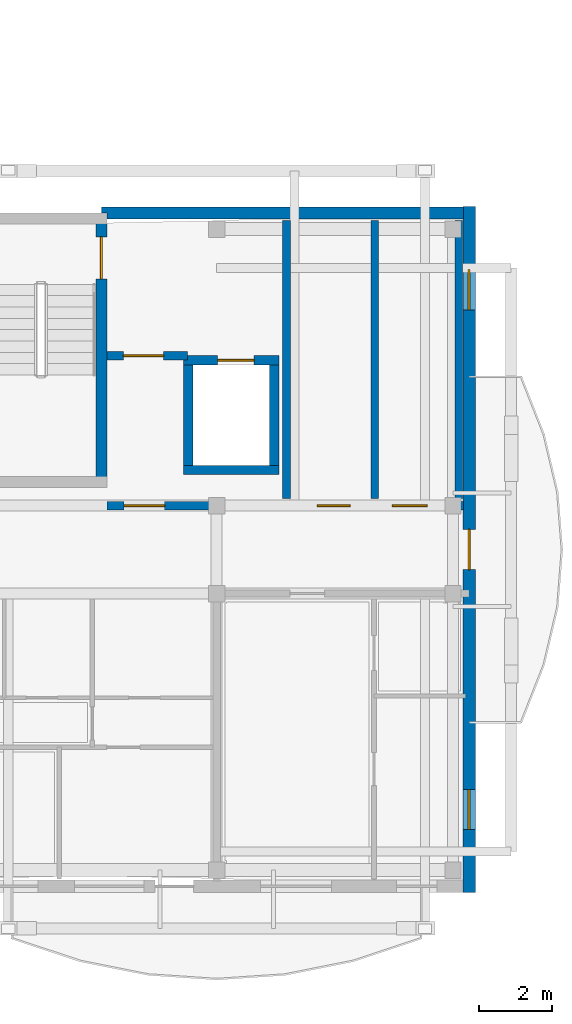
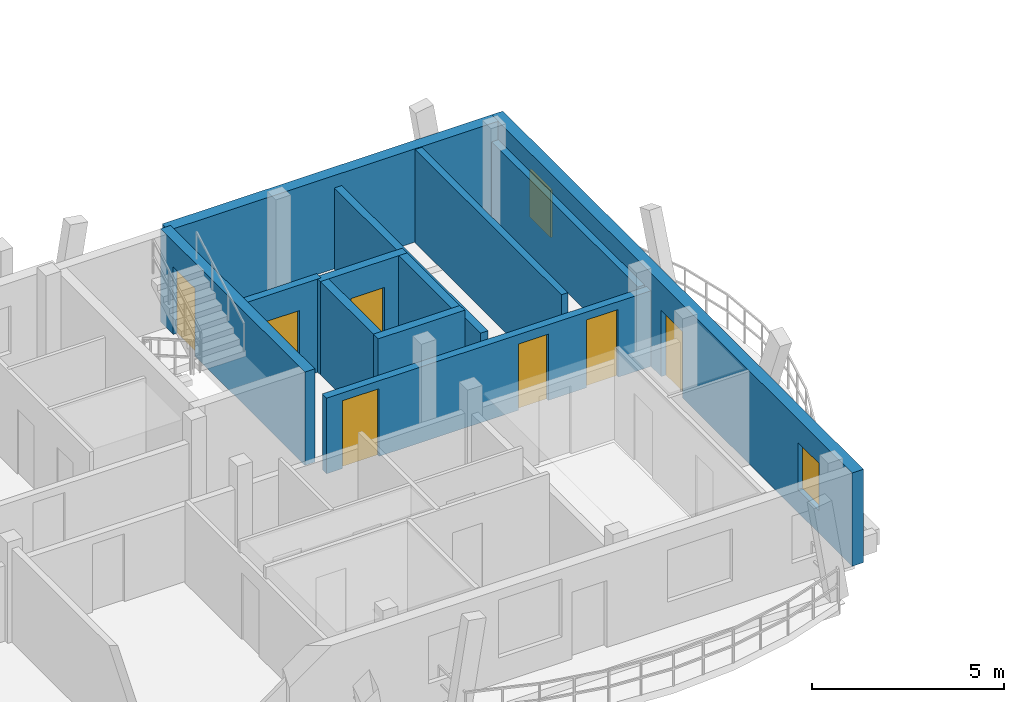
# One storey, part 13 of 29: 12 walls, 7 doors, 2 windows, 9 openings.
"""IFC4 building model written with IfcOpenShell, lengths in metres."""

from ifc_helpers import new_model, si_unit, direction, frame, frame_2d, origin, origin_with_axes, place, context, subcontext, project, spatial, rectangle, extrude, material, layer, layer_set, type_object, element, fill, save


model = new_model("IFC4")

# Units and contexts
model_context = context("Model", 3, precision=1e-05, world=origin(), true_north=direction((0.0, 1.0)))
body_context = subcontext(model_context, "Body", "Model", "MODEL_VIEW")
ifc_project = project(units=[si_unit("LENGTHUNIT", "METRE"), si_unit("AREAUNIT", "SQUARE_METRE"), si_unit("VOLUMEUNIT", "CUBIC_METRE"), si_unit("PLANEANGLEUNIT", "RADIAN"), si_unit("MASSUNIT", "GRAM", prefix="KILO")], contexts=[model_context])

# Site, building, storey
site_placement = place(None, origin())
site = spatial("IfcSite", under=ifc_project, at=site_placement, CompositionType="ELEMENT")
building_placement = place(site_placement, origin())
building = spatial("IfcBuilding", under=site, at=building_placement, Name="Zavelmont Quarter", CompositionType="ELEMENT")
storey_placement = place(building_placement, frame((0.0, 0.0, 33.60009765625)))
storey = spatial("IfcBuildingStorey", under=building, at=storey_placement, Name="L10", CompositionType="ELEMENT", Elevation=33.60009765625)

# Wall
ifc_material_1 = material(Name="Natural Belgian limestone", Category="masonry")
ifc_layer_1 = layer(ifc_material_1, 0.340087890625)
ifc_layer_set_1 = layer_set([ifc_layer_1], Name="Natural Belgian limestone")
wall_type_1 = type_object("IfcWallType", Name="EW03", PredefinedType="STANDARD", material=ifc_layer_set_1)
wall_1_placement = place(storey_placement, frame((31.35009765625, 18.39990234375, 0.0), z_axis=(0.0, 0.0, 1.0), x_axis=(1.0, 0.0, 0.0)))
element("IfcWall", 1, at=wall_1_placement, inside=storey, type_object=wall_type_1, Name="L10 exterior limestone wall EW03", PredefinedType="STANDARD", context=body_context, shape_type="SweptSolid", body=[
    extrude(rectangle(XDim=9.889892578125, YDim=0.340087890625, at=frame_2d((4.94482421875, 0.0))), origin(), (0.0, 0.0, 1.0), 2.9599609375),
])

# Wall, openings, door, windows
wall_2_placement = place(storey_placement, frame((41.39990234375, -0.169921875, 0.0), z_axis=(0.0, 0.0, 1.0), x_axis=(0.0, 1.0, 0.0)))
wall_2 = element("IfcWall", 2, at=wall_2_placement, inside=storey, type_object=wall_type_1, Name="L10 exterior limestone wall EW03", PredefinedType="STANDARD", context=body_context, shape_type="SweptSolid", body=[
    extrude(rectangle(XDim=18.739990234375, YDim=0.340087890625, at=frame_2d((9.3701171875, 0.0))), origin(), (0.0, 0.0, 1.0), 2.9599609375),
])
opening_1_placement = place(wall_2_placement, frame((8.820068359375, 0.0, 0.0)))
opening_1 = element("IfcOpeningElement", 3, at=opening_1_placement, cuts=wall_2, Name="Opening DR04B", PredefinedType="OPENING", context=body_context, shape_type="SweptSolid", body=[
    extrude(rectangle(XDim=1.10009765625, YDim=2.10009765625, at=frame_2d((0.550048828125, 1.050048828125))), frame((0.0, 0.18212890625, 0.0), z_axis=(0.0, -1.0, 0.0), x_axis=(1.0, 0.0, 0.0)), (0.0, 0.0, 1.0), 0.364013671875),
])
opening_2_placement = place(wall_2_placement, frame((1.719970703125, 0.0, 0.719970703125)))
opening_2 = element("IfcOpeningElement", 4, at=opening_2_placement, cuts=wall_2, Name="Opening WN09", PredefinedType="OPENING", context=body_context, shape_type="SweptSolid", body=[
    extrude(rectangle(XDim=1.10009765625, YDim=1.5, at=frame_2d((0.550048828125, 0.75))), frame((0.0, 0.18212890625, 0.0), z_axis=(0.0, -1.0, 0.0), x_axis=(1.0, 0.0, 0.0)), (0.0, 0.0, 1.0), 0.364013671875),
])
opening_3_placement = place(wall_2_placement, frame((15.919921875, 0.0, 0.719970703125)))
opening_3 = element("IfcOpeningElement", 5, at=opening_3_placement, cuts=wall_2, Name="Opening WN09", PredefinedType="OPENING", context=body_context, shape_type="SweptSolid", body=[
    extrude(rectangle(XDim=1.10009765625, YDim=1.5, at=frame_2d((0.550048828125, 0.75))), frame((0.0, 0.18212890625, 0.0), z_axis=(0.0, -1.0, 0.0), x_axis=(1.0, 0.0, 0.0)), (0.0, 0.0, 1.0), 0.364013671875),
])
ifc_material_2 = material(Name="Thermally broken aluminium and double safety glass", Category="aluminium")
door_type_1 = type_object("IfcDoorType", Name="DR04B", OperationType="NOTDEFINED", PredefinedType="DOOR", material=ifc_material_2)
door_1_placement = place(opening_1_placement, origin_with_axes())
door_1 = element("IfcDoor", 6, at=door_1_placement, inside=storey, type_object=door_type_1, Name="Block A L10 terrace or vase balcony door", OperationType="SINGLE_SWING_RIGHT", OverallHeight=2.10009765625, OverallWidth=1.10009765625, PredefinedType="DOOR", context=body_context, shape_type="SweptSolid", body=[
    extrude(rectangle(XDim=1.10009765625, YDim=2.10009765625, at=frame_2d((0.550048828125, 1.050048828125))), frame((0.0, 0.02490234375, 0.0), z_axis=(0.0, -1.0, 0.0), x_axis=(1.0, 0.0, 0.0)), (0.0, 0.0, 1.0), 0.050048828125),
])
fill(opening_1, door_1)
ifc_material_3 = material(Name="Double low-E insulated glazing in thermally broken aluminium frame", Category="aluminium")
window_type = type_object("IfcWindowType", Name="WN09", PartitioningType="SINGLE_PANEL", PredefinedType="WINDOW", material=ifc_material_3)
window_1_placement = place(opening_2_placement, origin_with_axes())
window_1 = element("IfcWindow", 7, at=window_1_placement, inside=storey, type_object=window_type, Name="L10 window WN09", OverallHeight=1.5, OverallWidth=1.10009765625, PartitioningType="SINGLE_PANEL", PredefinedType="WINDOW", context=body_context, shape_type="SweptSolid", body=[
    extrude(rectangle(XDim=1.10009765625, YDim=1.5, at=frame_2d((0.550048828125, 0.75))), frame((0.0, 0.030029296875, 0.0), z_axis=(0.0, -1.0, 0.0), x_axis=(1.0, 0.0, 0.0)), (0.0, 0.0, 1.0), 0.06005859375),
])
fill(opening_2, window_1)
window_2_placement = place(opening_3_placement, origin_with_axes())
window_2 = element("IfcWindow", 8, at=window_2_placement, inside=storey, type_object=window_type, Name="L10 window WN09", OverallHeight=1.5, OverallWidth=1.10009765625, PartitioningType="SINGLE_PANEL", PredefinedType="WINDOW", context=body_context, shape_type="SweptSolid", body=[
    extrude(rectangle(XDim=1.10009765625, YDim=1.5, at=frame_2d((0.550048828125, 0.75))), frame((0.0, 0.030029296875, 0.0), z_axis=(0.0, -1.0, 0.0), x_axis=(1.0, 0.0, 0.0)), (0.0, 0.0, 1.0), 0.06005859375),
])
fill(opening_3, window_2)

# Walls
ifc_material_4 = material(Name="Calcium-silicate blockwork and acoustic plaster", Category="masonry")
ifc_layer_2 = layer(ifc_material_4, 0.199951171875)
ifc_layer_set_2 = layer_set([ifc_layer_2], Name="Calcium-silicate blockwork and acoustic plaster")
wall_type_2 = type_object("IfcWallType", Name="IW01", PredefinedType="PARTITIONING", material=ifc_layer_set_2)
wall_3_placement = place(storey_placement, frame((38.824951171875, 10.60009765625, 0.0), z_axis=(0.0, 0.0, 1.0), x_axis=(0.0, 1.0, 0.0)))
element("IfcWall", 9, at=wall_3_placement, inside=storey, type_object=wall_type_2, Name="L10 Service riser divider wall IW01", PredefinedType="PARTITIONING", context=body_context, shape_type="SweptSolid", body=[
    extrude(rectangle(XDim=7.599853515625, YDim=0.199951171875, at=frame_2d((3.7998046875, 0.0))), origin(), (0.0, 0.0, 1.0), 2.9599609375),
])
wall_4_placement = place(storey_placement, frame((41.1201171875, 10.60009765625, 0.0), z_axis=(0.0, 0.0, 1.0), x_axis=(0.0, 1.0, 0.0)))
element("IfcWall", 10, at=wall_4_placement, inside=storey, type_object=wall_type_2, Name="L10 Core service end wall IW01", PredefinedType="PARTITIONING", context=body_context, shape_type="SweptSolid", body=[
    extrude(rectangle(XDim=7.599853515625, YDim=0.199951171875, at=frame_2d((3.7998046875, 0.0))), origin(), (0.0, 0.0, 1.0), 2.39990234375),
])
ifc_material_5 = material(Name="Reinforced masonry fire compartment wall", Category="masonry")
ifc_layer_3 = layer(ifc_material_5, 0.22509765625)
ifc_layer_set_3 = layer_set([ifc_layer_3], Name="Reinforced masonry fire compartment wall")
wall_type_3 = type_object("IfcWallType", Name="IW02", PredefinedType="PARTITIONING", material=ifc_layer_set_3)
wall_5_placement = place(storey_placement, frame((36.409912109375, 10.60009765625, 0.0), z_axis=(0.0, 0.0, 1.0), x_axis=(0.0, 1.0, 0.0)))
element("IfcWall", 11, at=wall_5_placement, inside=storey, type_object=wall_type_3, Name="L10 Firefighting lobby enclosure wall IW02", PredefinedType="PARTITIONING", context=body_context, shape_type="SweptSolid", body=[
    extrude(rectangle(XDim=7.599853515625, YDim=0.22509765625, at=frame_2d((3.7998046875, 0.0))), origin(), (0.0, 0.0, 1.0), 2.58984375),
])

# Wall, opening, door
wall_6_placement = place(storey_placement, frame((31.5, 14.5, 0.0), z_axis=(0.0, 0.0, 1.0), x_axis=(1.0, 0.0, 0.0)))
wall_6 = element("IfcWall", 12, at=wall_6_placement, inside=storey, type_object=wall_type_3, Name="L10 Firefighting lobby threshold wall IW02", PredefinedType="PARTITIONING", context=body_context, shape_type="SweptSolid", body=[
    extrude(rectangle(XDim=2.199951171875, YDim=0.22509765625, at=frame_2d((1.10009765625, 0.0))), origin(), (0.0, 0.0, 1.0), 2.9599609375),
])
opening_4_placement = place(wall_6_placement, frame((0.449951171875, 0.0, 0.0)))
opening_4 = element("IfcOpeningElement", 13, at=opening_4_placement, cuts=wall_6, Name="Opening DR10", PredefinedType="OPENING", context=body_context, shape_type="SweptSolid", body=[
    extrude(rectangle(XDim=1.10009765625, YDim=2.14990234375, at=frame_2d((0.550048828125, 1.074951171875))), frame((0.0, 0.12451171875, 0.0), z_axis=(0.0, -1.0, 0.0), x_axis=(1.0, 0.0, 0.0)), (0.0, 0.0, 1.0), 0.2490234375),
])
ifc_material_6 = material(Name="Painted steel lobby fire door", Category="steel")
door_type_2 = type_object("IfcDoorType", Name="DR10", OperationType="NOTDEFINED", PredefinedType="DOOR", material=ifc_material_6)
door_2_placement = place(opening_4_placement, origin_with_axes())
door_2 = element("IfcDoor", 14, at=door_2_placement, inside=storey, type_object=door_type_2, Name="Firefighting lobby fire door", OperationType="SINGLE_SWING_LEFT", OverallHeight=2.14990234375, OverallWidth=1.10009765625, PredefinedType="DOOR", context=body_context, shape_type="SweptSolid", body=[
    extrude(rectangle(XDim=1.10009765625, YDim=2.14990234375, at=frame_2d((0.550048828125, 1.074951171875))), frame((0.0, 0.02490234375, 0.0), z_axis=(0.0, -1.0, 0.0), x_axis=(1.0, 0.0, 0.0)), (0.0, 0.0, 1.0), 0.050048828125),
])
fill(opening_4, door_2)

# Wall, openings, doors
wall_7_placement = place(storey_placement, frame((31.5, 10.39990234375, 0.0), z_axis=(0.0, 0.0, 1.0), x_axis=(1.0, 0.0, 0.0)))
wall_7 = element("IfcWall", 15, at=wall_7_placement, inside=storey, type_object=wall_type_3, Name="L10 Core corridor fire wall IW02", PredefinedType="PARTITIONING", context=body_context, shape_type="SweptSolid", body=[
    extrude(rectangle(XDim=9.75, YDim=0.22509765625, at=frame_2d((4.875, 0.0))), origin(), (0.0, 0.0, 1.0), 2.39990234375),
])
opening_5_placement = place(wall_7_placement, frame((0.47509765625, 0.0, 0.0)))
opening_5 = element("IfcOpeningElement", 16, at=opening_5_placement, cuts=wall_7, Name="Opening DR10", PredefinedType="OPENING", context=body_context, shape_type="SweptSolid", body=[
    extrude(rectangle(XDim=1.10009765625, YDim=2.14990234375, at=frame_2d((0.550048828125, 1.074951171875))), frame((0.0, 0.12451171875, 0.0), z_axis=(0.0, -1.0, 0.0), x_axis=(1.0, 0.0, 0.0)), (0.0, 0.0, 1.0), 0.2490234375),
])
opening_6_placement = place(wall_7_placement, frame((5.75, 0.0, 0.0)))
opening_6 = element("IfcOpeningElement", 17, at=opening_6_placement, cuts=wall_7, Name="Opening DR11", PredefinedType="OPENING", context=body_context, shape_type="SweptSolid", body=[
    extrude(rectangle(XDim=0.89990234375, YDim=2.10009765625, at=frame_2d((0.449951171875, 1.050048828125))), frame((0.0, 0.12451171875, 0.0), z_axis=(0.0, -1.0, 0.0), x_axis=(1.0, 0.0, 0.0)), (0.0, 0.0, 1.0), 0.2490234375),
])
opening_7_placement = place(wall_7_placement, frame((7.800048828125, 0.0, 0.0)))
opening_7 = element("IfcOpeningElement", 18, at=opening_7_placement, cuts=wall_7, Name="Opening DR02", PredefinedType="OPENING", context=body_context, shape_type="SweptSolid", body=[
    extrude(rectangle(XDim=0.949951171875, YDim=2.14990234375, at=frame_2d((0.47509765625, 1.074951171875))), frame((0.0, 0.12451171875, 0.0), z_axis=(0.0, -1.0, 0.0), x_axis=(1.0, 0.0, 0.0)), (0.0, 0.0, 1.0), 0.2490234375),
])
ifc_material_7 = material(Name="Solid-core oak fire leaf in steel frame", Category="steel")
door_type_3 = type_object("IfcDoorType", Name="DR02", OperationType="NOTDEFINED", PredefinedType="DOOR", material=ifc_material_7)
door_3_placement = place(opening_7_placement, frame((0.949951171875, 0.0, 0.0), z_axis=(0.0, 0.0, 1.0), x_axis=(-1.0, 0.0, 0.0)))
door_3 = element("IfcDoor", 19, at=door_3_placement, inside=storey, type_object=door_type_3, Name="Auxiliary store corridor door", OperationType="SINGLE_SWING_RIGHT", OverallHeight=2.14990234375, OverallWidth=0.949951171875, PredefinedType="DOOR", context=body_context, shape_type="SweptSolid", body=[
    extrude(rectangle(XDim=0.949951171875, YDim=2.14990234375, at=frame_2d((0.47509765625, 1.074951171875))), frame((0.0, 0.02490234375, 0.0), z_axis=(0.0, -1.0, 0.0), x_axis=(1.0, 0.0, 0.0)), (0.0, 0.0, 1.0), 0.050048828125),
])
fill(opening_7, door_3)
door_4_placement = place(opening_5_placement, origin_with_axes())
door_4 = element("IfcDoor", 20, at=door_4_placement, inside=storey, type_object=door_type_2, Name="Core vestibule fire door", OperationType="SINGLE_SWING_RIGHT", OverallHeight=2.14990234375, OverallWidth=1.10009765625, PredefinedType="DOOR", context=body_context, shape_type="SweptSolid", body=[
    extrude(rectangle(XDim=1.10009765625, YDim=2.14990234375, at=frame_2d((0.550048828125, 1.074951171875))), frame((0.0, 0.02490234375, 0.0), z_axis=(0.0, -1.0, 0.0), x_axis=(1.0, 0.0, 0.0)), (0.0, 0.0, 1.0), 0.050048828125),
])
fill(opening_5, door_4)
ifc_material_8 = material(Name="Painted steel service-riser fire door", Category="steel")
door_type_4 = type_object("IfcDoorType", Name="DR11", OperationType="NOTDEFINED", PredefinedType="DOOR", material=ifc_material_8)
door_5_placement = place(opening_6_placement, frame((0.89990234375, 0.0, 0.0), z_axis=(0.0, 0.0, 1.0), x_axis=(-1.0, 0.0, 0.0)))
door_5 = element("IfcDoor", 21, at=door_5_placement, inside=storey, type_object=door_type_4, Name="Service riser fire door", OperationType="SINGLE_SWING_LEFT", OverallHeight=2.10009765625, OverallWidth=0.89990234375, PredefinedType="DOOR", context=body_context, shape_type="SweptSolid", body=[
    extrude(rectangle(XDim=0.89990234375, YDim=2.10009765625, at=frame_2d((0.449951171875, 1.050048828125))), frame((0.0, 0.02490234375, 0.0), z_axis=(0.0, -1.0, 0.0), x_axis=(1.0, 0.0, 0.0)), (0.0, 0.0, 1.0), 0.050048828125),
])
fill(opening_6, door_5)

# Wall, opening, door
ifc_material_9 = material(Name="Concrete C40/50", Category="concrete")
ifc_layer_4 = layer(ifc_material_9, 0.300048828125)
ifc_layer_set_4 = layer_set([ifc_layer_4], Name="Concrete C40/50")
wall_type_4 = type_object("IfcWallType", Name="SW01", PredefinedType="SHEAR", material=ifc_layer_set_4)
wall_8_placement = place(storey_placement, frame((31.35009765625, 10.89990234375, 0.0), z_axis=(0.0, 0.0, 1.0), x_axis=(0.0, 1.0, 0.0)))
wall_8 = element("IfcWall", 22, at=wall_8_placement, inside=storey, type_object=wall_type_4, Name="L10 ST02 lobby shear wall SW01", PredefinedType="SHEAR", context=body_context, shape_type="SweptSolid", body=[
    extrude(rectangle(XDim=7.5, YDim=0.300048828125, at=frame_2d((3.75, 0.0))), origin(), (0.0, 0.0, 1.0), 2.9599609375),
])
opening_8_placement = place(wall_8_placement, frame((5.699951171875, 0.0, 0.0)))
opening_8 = element("IfcOpeningElement", 23, at=opening_8_placement, cuts=wall_8, Name="Opening DR09", PredefinedType="OPENING", context=body_context, shape_type="SweptSolid", body=[
    extrude(rectangle(XDim=1.14990234375, YDim=2.14990234375, at=frame_2d((0.574951171875, 1.074951171875))), frame((0.0, 0.162109375, 0.0), z_axis=(0.0, -1.0, 0.0), x_axis=(1.0, 0.0, 0.0)), (0.0, 0.0, 1.0), 0.323974609375),
])
ifc_material_10 = material(Name="Painted steel stair-core fire door", Category="steel")
door_type_5 = type_object("IfcDoorType", Name="DR09", OperationType="NOTDEFINED", PredefinedType="DOOR", material=ifc_material_10)
door_6_placement = place(opening_8_placement, origin_with_axes())
door_6 = element("IfcDoor", 24, at=door_6_placement, inside=storey, type_object=door_type_5, Name="ST02 protected stair door", OperationType="SINGLE_SWING_LEFT", OverallHeight=2.14990234375, OverallWidth=1.14990234375, PredefinedType="DOOR", context=body_context, shape_type="SweptSolid", body=[
    extrude(rectangle(XDim=1.14990234375, YDim=2.14990234375, at=frame_2d((0.574951171875, 1.074951171875))), frame((0.0, 0.02490234375, 0.0), z_axis=(0.0, -1.0, 0.0), x_axis=(1.0, 0.0, 0.0)), (0.0, 0.0, 1.0), 0.050048828125),
])
fill(opening_8, door_6)

ifc_layer_5 = layer(ifc_material_9, 0.25)
ifc_layer_set_5 = layer_set([ifc_layer_5], Name="Concrete C40/50")
wall_type_5 = type_object("IfcWallType", Name="SW02", PredefinedType="SHEAR", material=ifc_layer_set_5)
wall_9_placement = place(storey_placement, frame((33.60009765625, 14.375, 0.0), z_axis=(0.0, 0.0, 1.0), x_axis=(1.0, 0.0, 0.0)))
wall_9 = element("IfcWall", 25, at=wall_9_placement, inside=storey, type_object=wall_type_5, Name="L10 Lift LF02 landing shaft wall SW02", PredefinedType="SHEAR", context=body_context, shape_type="SweptSolid", body=[
    extrude(rectangle(XDim=2.599853515625, YDim=0.25, at=frame_2d((1.2998046875, 0.0))), origin(), (0.0, 0.0, 1.0), 2.9599609375),
])
opening_9_placement = place(wall_9_placement, frame((0.925048828125, 0.0, 0.0)))
opening_9 = element("IfcOpeningElement", 26, at=opening_9_placement, cuts=wall_9, Name="Opening LD01", PredefinedType="OPENING", context=body_context, shape_type="SweptSolid", body=[
    extrude(rectangle(XDim=1.0, YDim=2.10009765625, at=frame_2d((0.5, 1.050048828125))), frame((0.0, 0.136962890625, 0.0), z_axis=(0.0, -1.0, 0.0), x_axis=(1.0, 0.0, 0.0)), (0.0, 0.0, 1.0), 0.27392578125),
])
ifc_material_11 = material(Name="Brushed stainless-steel automatic sliding landing door", Category="steel")
door_type_6 = type_object("IfcDoorType", Name="LD01", OperationType="SLIDING_TO_LEFT", PredefinedType="DOOR", material=ifc_material_11)
door_7_placement = place(opening_9_placement, origin_with_axes())
door_7 = element("IfcDoor", 27, at=door_7_placement, inside=storey, type_object=door_type_6, Name="Lift LF02 sliding landing door", OperationType="SLIDING_TO_LEFT", OverallHeight=2.10009765625, OverallWidth=1.0, PredefinedType="DOOR", context=body_context, shape_type="SweptSolid", body=[
    extrude(rectangle(XDim=1.0, YDim=2.10009765625, at=frame_2d((0.5, 1.050048828125))), frame((0.0, 0.02490234375, 0.0), z_axis=(0.0, -1.0, 0.0), x_axis=(1.0, 0.0, 0.0)), (0.0, 0.0, 1.0), 0.050048828125),
])
fill(opening_9, door_7)

# Walls
wall_10_placement = place(storey_placement, frame((33.60009765625, 11.375, 0.0), z_axis=(0.0, 0.0, 1.0), x_axis=(1.0, 0.0, 0.0)))
element("IfcWall", 28, at=wall_10_placement, inside=storey, type_object=wall_type_5, Name="L10 Lift LF02 back shaft wall SW02", PredefinedType="SHEAR", context=body_context, shape_type="SweptSolid", body=[
    extrude(rectangle(XDim=2.599853515625, YDim=0.25, at=frame_2d((1.2998046875, 0.0))), origin(), (0.0, 0.0, 1.0), 2.9599609375),
])
for number, where, z_axis, x_axis, name in (
    (29, (33.72509765625, 11.25, 0.0), (0.0, 0.0, 1.0), (0.0, 1.0, 0.0), "L10 Lift LF02 west shaft wall SW02"),
    (30, (36.074951171875, 11.25, 0.0), (0.0, 0.0, 1.0), (0.0, 1.0, 0.0), "L10 Lift LF02 east shaft wall SW02"),
):
    element("IfcWall", number, at=place(storey_placement, frame(where, z_axis=z_axis, x_axis=x_axis)), inside=storey, type_object=wall_type_5, Name=name, PredefinedType="SHEAR", context=body_context, shape_type="SweptSolid", body=[
        extrude(rectangle(XDim=3.25, YDim=0.25, at=frame_2d((1.625, 0.0))), origin(), (0.0, 0.0, 1.0), 2.9599609375),
    ])

save(model, "model.ifc")
